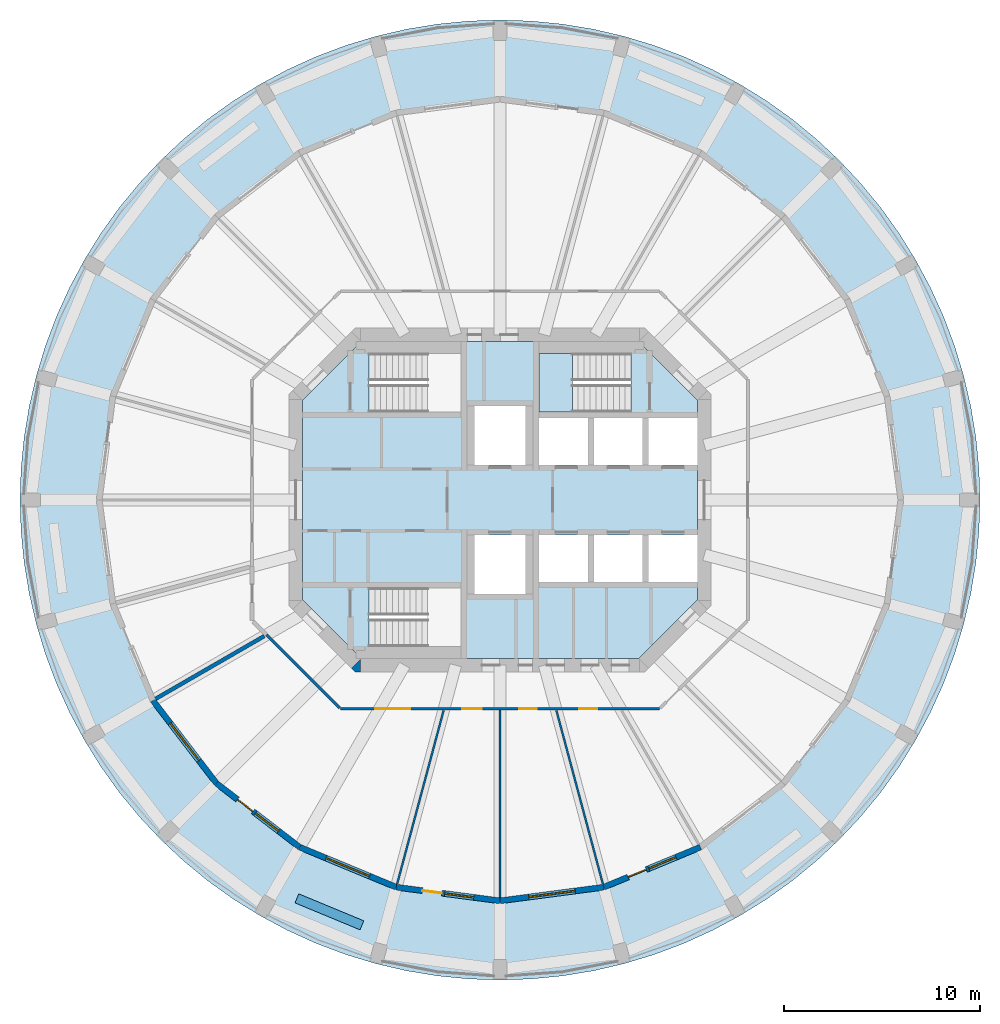
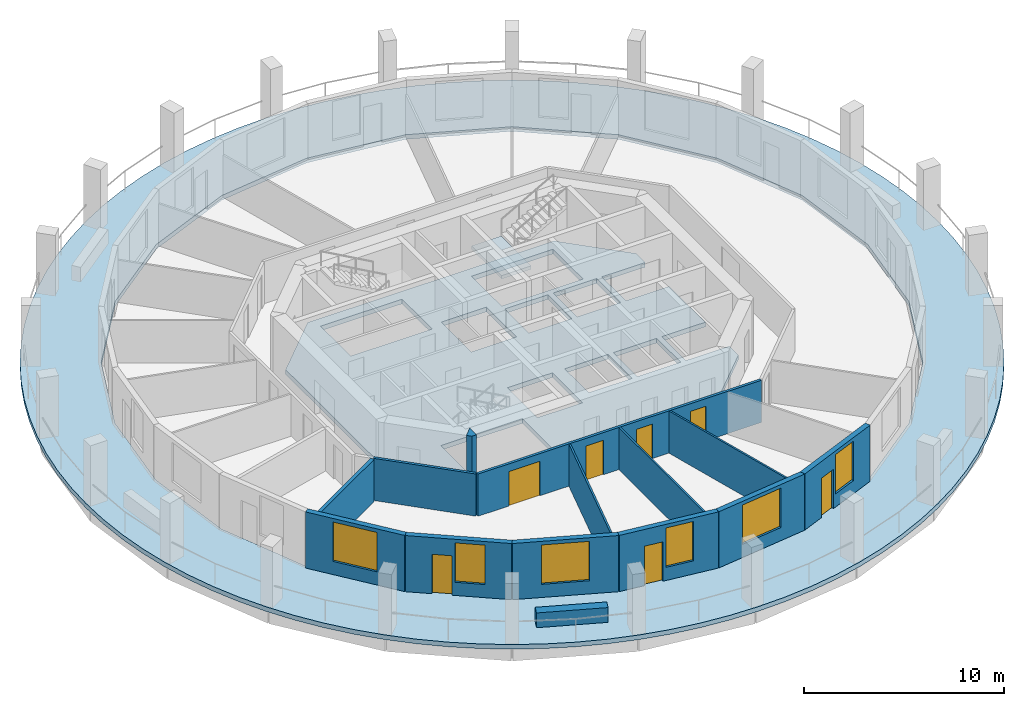
# One storey, part 2 of 9: 14 walls, 7 doors, 6 windows, 3 slabs, 13 openings, 1 element without a shape of its own.
"""IFC4 building model written with IfcOpenShell, lengths in metres."""

from ifc_helpers import new_model, si_unit, direction, frame, frame_2d, origin, place, context, subcontext, project, spatial, polyline, rectangle, outline, extrude, material, layer, layer_set, type_object, element, fill, aggregate, save


model = new_model("IFC4")

# Units and contexts
model_context = context("Model", 3, precision=1e-05, world=origin(), true_north=direction((0.0, 1.0)))
body_context = subcontext(model_context, "Body", "Model", "MODEL_VIEW")
ifc_project = project(units=[si_unit("LENGTHUNIT", "METRE"), si_unit("AREAUNIT", "SQUARE_METRE"), si_unit("VOLUMEUNIT", "CUBIC_METRE"), si_unit("PLANEANGLEUNIT", "RADIAN"), si_unit("MASSUNIT", "GRAM", prefix="KILO")], contexts=[model_context])

# Site, building, storey
site_placement = place(None, origin())
site = spatial("IfcSite", under=ifc_project, at=site_placement, CompositionType="ELEMENT")
building_placement = place(site_placement, origin())
building = spatial("IfcBuilding", under=site, at=building_placement, Name="Torre Triforio", CompositionType="ELEMENT")
storey_placement = place(building_placement, frame((0.0, 0.0, 237.199951171875)))
storey = spatial("IfcBuildingStorey", under=building, at=storey_placement, Name="L54", CompositionType="ELEMENT", Elevation=237.199951171875)

# Slabs
ifc_material_1 = material(Name="Concrete C50", Category="concrete")
ifc_layer_1 = layer(ifc_material_1, 0.280029296875)
ifc_layer_set_1 = layer_set([ifc_layer_1], Name="Concrete C50")
slab_type_1 = type_object("IfcSlabType", Name="Core floor slab 280 mm C50 REI 120", PredefinedType="FLOOR", material=ifc_layer_set_1)
slab_1_placement = place(storey_placement, frame((0.0, 0.0, -0.280029296875)))
element("IfcSlab", 1, at=slab_1_placement, inside=storey, type_object=slab_type_1, Name="Core floor slab", PredefinedType="FLOOR", context=body_context, shape_type="SweptSolid", body=[
    extrude(outline(polyline([(10.10009765625, -5.10009765625), (7.10009765625, -8.10009765625), (-7.10009765625, -8.10009765625), (-10.10009765625, -5.10009765625), (-10.10009765625, 5.10009765625), (-7.10009765625, 8.10009765625), (7.10009765625, 8.10009765625), (10.10009765625, 5.10009765625), (10.10009765625, 4.199951171875), (7.60009765625, 4.199951171875), (7.60009765625, 1.800048828125), (10.10009765625, 1.800048828125), (10.10009765625, -1.800048828125), (7.60009765625, -1.800048828125), (7.60009765625, -4.199951171875), (10.10009765625, -4.199951171875), (10.10009765625, -5.10009765625)]), holes=[polyline([(-6.696044921875, -4.5), (-6.696044921875, -7.5), (-2.0, -7.5), (-2.0, -4.5), (-6.696044921875, -4.5)]), polyline([(-1.300048828125, -1.800048828125), (-1.300048828125, -4.800048828125), (1.300048828125, -4.800048828125), (1.300048828125, -1.800048828125), (-1.300048828125, -1.800048828125)]), polyline([(2.0, -1.800048828125), (2.0, -4.199951171875), (4.5, -4.199951171875), (4.5, -1.800048828125), (2.0, -1.800048828125)]), polyline([(4.5, 4.199951171875), (2.0, 4.199951171875), (2.0, 1.800048828125), (4.5, 1.800048828125), (4.5, 4.199951171875)]), polyline([(1.300048828125, 4.800048828125), (-1.300048828125, 4.800048828125), (-1.300048828125, 1.800048828125), (1.300048828125, 1.800048828125), (1.300048828125, 4.800048828125)]), polyline([(-6.696044921875, 7.5), (-6.696044921875, 4.5), (-2.0, 4.5), (-2.0, 7.5), (-6.696044921875, 7.5)]), polyline([(7.300048828125, -1.800048828125), (4.800048828125, -1.800048828125), (4.800048828125, -4.199951171875), (7.300048828125, -4.199951171875), (7.300048828125, -1.800048828125)]), polyline([(4.800048828125, 4.199951171875), (4.800048828125, 1.800048828125), (7.300048828125, 1.800048828125), (7.300048828125, 4.199951171875), (4.800048828125, 4.199951171875)]), polyline([(6.696044921875, 7.5), (2.0, 7.5), (2.0, 4.5), (6.696044921875, 4.5), (6.696044921875, 7.5)])]), origin(), (0.0, 0.0, 1.0), 0.280029296875),
])
ifc_material_2 = material(Name="Concrete C40", Category="concrete")
ifc_layer_2 = layer(ifc_material_2, 0.280029296875)
ifc_layer_set_2 = layer_set([ifc_layer_2], Name="Concrete C40")
slab_type_2 = type_object("IfcSlabType", Name="Loggia slab 280 C40", PredefinedType="FLOOR", material=ifc_layer_set_2)
slab_2_placement = place(storey_placement, frame((0.0, 0.0, -0.280029296875)))
element("IfcSlab", 2, at=slab_2_placement, inside=storey, type_object=slab_type_2, Name="SL.L54.LG", PredefinedType="FLOOR", context=body_context, shape_type="SweptSolid", body=[
    extrude(outline(polyline([(24.49755859375, -1.605712890625), (24.550048828125, 0.0), (24.49755859375, 1.605712890625), (24.340087890625, 3.204345703125), (24.078369140625, 4.78955078125), (23.71337890625, 6.35400390625), (23.2470703125, 7.891357421875), (22.68115234375, 9.394775390625), (22.018310546875, 10.858154296875), (21.260986328125, 12.27490234375), (20.41259765625, 13.63916015625), (19.476806640625, 14.945068359375), (18.457763671875, 16.18701171875), (17.359375, 17.359375), (16.18701171875, 18.457763671875), (14.945068359375, 19.476806640625), (13.63916015625, 20.41259765625), (12.27490234375, 21.260986328125), (10.858154296875, 22.018310546875), (9.394775390625, 22.68115234375), (7.891357421875, 23.2470703125), (6.35400390625, 23.71337890625), (4.78955078125, 24.078369140625), (3.204345703125, 24.340087890625), (1.605712890625, 24.49755859375), (0.0, 24.550048828125), (-1.605712890625, 24.49755859375), (-3.204345703125, 24.340087890625), (-4.78955078125, 24.078369140625), (-6.35400390625, 23.71337890625), (-7.891357421875, 23.2470703125), (-9.394775390625, 22.68115234375), (-10.858154296875, 22.018310546875), (-12.27490234375, 21.260986328125), (-13.63916015625, 20.41259765625), (-14.945068359375, 19.476806640625), (-16.18701171875, 18.457763671875), (-17.359375, 17.359375), (-18.457763671875, 16.18701171875), (-19.476806640625, 14.945068359375), (-20.41259765625, 13.63916015625), (-21.260986328125, 12.27490234375), (-22.018310546875, 10.858154296875), (-22.68115234375, 9.394775390625), (-23.2470703125, 7.891357421875), (-23.71337890625, 6.35400390625), (-24.078369140625, 4.78955078125), (-24.340087890625, 3.204345703125), (-24.49755859375, 1.605712890625), (-24.550048828125, 0.0), (-24.49755859375, -1.605712890625), (-24.340087890625, -3.204345703125), (-24.078369140625, -4.78955078125), (-23.71337890625, -6.35400390625), (-23.2470703125, -7.891357421875), (-22.68115234375, -9.394775390625), (-22.018310546875, -10.858154296875), (-21.260986328125, -12.27490234375), (-20.41259765625, -13.63916015625), (-19.476806640625, -14.945068359375), (-18.457763671875, -16.18701171875), (-17.359375, -17.359375), (-16.18701171875, -18.457763671875), (-14.945068359375, -19.476806640625), (-13.63916015625, -20.41259765625), (-12.27490234375, -21.260986328125), (-10.858154296875, -22.018310546875), (-9.394775390625, -22.68115234375), (-7.891357421875, -23.2470703125), (-6.35400390625, -23.71337890625), (-4.78955078125, -24.078369140625), (-3.204345703125, -24.340087890625), (-1.605712890625, -24.49755859375), (0.0, -24.550048828125), (1.605712890625, -24.49755859375), (3.204345703125, -24.340087890625), (4.78955078125, -24.078369140625), (6.35400390625, -23.71337890625), (7.891357421875, -23.2470703125), (9.394775390625, -22.68115234375), (10.858154296875, -22.018310546875), (12.27490234375, -21.260986328125), (13.63916015625, -20.41259765625), (14.945068359375, -19.476806640625), (16.18701171875, -18.457763671875), (17.359375, -17.359375), (18.457763671875, -16.18701171875), (19.476806640625, -14.945068359375), (20.41259765625, -13.63916015625), (21.260986328125, -12.27490234375), (22.018310546875, -10.858154296875), (22.68115234375, -9.394775390625), (23.2470703125, -7.891357421875), (23.71337890625, -6.35400390625), (24.078369140625, -4.78955078125), (24.340087890625, -3.204345703125), (24.49755859375, -1.605712890625)]), holes=[polyline([(19.801513671875, 5.305908203125), (20.5, 0.0), (19.801513671875, -5.305908203125), (17.75341796875, -10.25), (14.49560546875, -14.49560546875), (10.25, -17.75341796875), (5.305908203125, -19.801513671875), (0.0, -20.5), (-5.305908203125, -19.801513671875), (-10.25, -17.75341796875), (-14.49560546875, -14.49560546875), (-17.75341796875, -10.25), (-19.801513671875, -5.305908203125), (-20.5, 0.0), (-19.801513671875, 5.305908203125), (-17.75341796875, 10.25), (-14.49560546875, 14.49560546875), (-10.25, 17.75341796875), (-5.305908203125, 19.801513671875), (0.0, 20.5), (5.305908203125, 19.801513671875), (10.25, 17.75341796875), (14.49560546875, 14.49560546875), (17.75341796875, 10.25), (19.801513671875, 5.305908203125)])]), origin(), (0.0, 0.0, 1.0), 0.280029296875),
])

# Stair, slab
stair_type = type_object("IfcStairType", Name="STAIR HALF-TURN", PredefinedType="HALF_TURN_STAIR", material=ifc_material_2)
stair_placement = place(storey_placement, origin())
stair = element("IfcStair", 3, at=stair_placement, inside=storey, type_object=stair_type, Name="Exit stair 2", PredefinedType="HALF_TURN_STAIR")
ifc_layer_3 = layer(ifc_material_2, 0.199951171875)
ifc_layer_set_3 = layer_set([ifc_layer_3], Name="Concrete C40")
slab_type_3 = type_object("IfcSlabType", Name="STAIR LANDING 200", PredefinedType="LANDING", material=ifc_layer_set_3)
slab_3_placement = place(storey_placement, frame((0.0, 0.0, 1.650146484375)))
slab_3 = element("IfcSlab", 4, at=slab_3_placement, type_object=slab_type_3, Name="ST2 landing 1", PredefinedType="LANDING", context=body_context, shape_type="SweptSolid", body=[
    extrude(outline(polyline([(3.699951171875, 4.5), (3.699951171875, 7.5), (2.0, 7.5), (2.0, 4.5), (3.699951171875, 4.5)])), origin(), (0.0, 0.0, 1.0), 0.199951171875),
])
aggregate(stair, [slab_3])

# Wall
ifc_layer_4 = layer(ifc_material_1, 0.699951171875)
ifc_layer_set_4 = layer_set([ifc_layer_4], Name="Concrete C50")
wall_type_1 = type_object("IfcWallType", Name="Core wall 700 mm C50 EI 120", PredefinedType="SHEAR", material=ifc_layer_set_4)
wall_1_placement = place(storey_placement, frame((0.0, 0.0, -0.280029296875)))
element("IfcWall", 5, at=wall_1_placement, inside=storey, type_object=wall_type_1, Name="Core wall", PredefinedType="SHEAR", context=body_context, shape_type="SweptSolid", body=[
    extrude(outline(polyline([(-7.389892578125, -8.800048828125), (-7.594970703125, -8.594970703125), (-7.594970703125, -8.594970703125), (-7.594970703125, -8.594970703125), (-7.1298828125, -8.1298828125), (-7.1298828125, -8.800048828125), (-7.1298828125, -8.800048828125), (-7.389892578125, -8.800048828125)])), origin(), (0.0, 0.0, 1.0), 3.7001953125),
])

# Wall, openings, doors
ifc_material_3 = material(Name="Plasterboard on metal studs")
ifc_layer_5 = layer(ifc_material_3, 0.14990234375)
ifc_layer_set_5 = layer_set([ifc_layer_5], Name="Plasterboard on metal studs")
wall_type_2 = type_object("IfcWallType", Name="Corridor and tenancy wall 150 mm EI 60", PredefinedType="PARTITIONING", material=ifc_layer_set_5)
wall_2_placement = place(storey_placement, frame((8.16650390625, -10.675048828125, 0.0), z_axis=(0.0, 0.0, 1.0), x_axis=(-1.0, 0.0, 0.0)))
wall_2 = element("IfcWall", 6, at=wall_2_placement, inside=storey, type_object=wall_type_2, Name="Partition 2", PredefinedType="PARTITIONING", context=body_context, shape_type="SweptSolid", body=[
    extrude(rectangle(XDim=16.3330078125, YDim=0.14990234375, at=frame_2d((8.16650390625, 0.0))), origin(), (0.0, 0.0, 1.0), 2.570068359375),
])
opening_1_placement = place(wall_2_placement, frame((12.755126953125, 0.0, 0.0)))
opening_1 = element("IfcOpeningElement", 7, at=opening_1_placement, cuts=wall_2, Name="Opening O8-01", PredefinedType="OPENING", context=body_context, shape_type="SweptSolid", body=[
    extrude(rectangle(XDim=1.800048828125, YDim=2.10009765625, at=frame_2d((0.89990234375, 1.050048828125))), frame((0.0, 0.0849609375, 0.0), z_axis=(0.0, -1.0, 0.0), x_axis=(1.0, 0.0, 0.0)), (0.0, 0.0, 1.0), 0.169921875),
])
opening_2_placement = place(wall_2_placement, frame((9.09765625, 0.0, 0.0)))
opening_2 = element("IfcOpeningElement", 8, at=opening_2_placement, cuts=wall_2, Name="Opening O8-02", PredefinedType="OPENING", context=body_context, shape_type="SweptSolid", body=[
    extrude(rectangle(XDim=1.0, YDim=2.10009765625, at=frame_2d((0.5, 1.050048828125))), frame((0.0, 0.0849609375, 0.0), z_axis=(0.0, -1.0, 0.0), x_axis=(1.0, 0.0, 0.0)), (0.0, 0.0, 1.0), 0.169921875),
])
opening_3_placement = place(wall_2_placement, frame((6.285400390625, 0.0, 0.0)))
opening_3 = element("IfcOpeningElement", 9, at=opening_3_placement, cuts=wall_2, Name="Opening O8-03", PredefinedType="OPENING", context=body_context, shape_type="SweptSolid", body=[
    extrude(rectangle(XDim=0.89990234375, YDim=2.10009765625, at=frame_2d((0.449951171875, 1.050048828125))), frame((0.0, 0.0849609375, 0.0), z_axis=(0.0, -1.0, 0.0), x_axis=(1.0, 0.0, 0.0)), (0.0, 0.0, 1.0), 0.169921875),
])
opening_4_placement = place(wall_2_placement, frame((3.200927734375, 0.0, 0.0)))
opening_4 = element("IfcOpeningElement", 10, at=opening_4_placement, cuts=wall_2, Name="Opening O8-04", PredefinedType="OPENING", context=body_context, shape_type="SweptSolid", body=[
    extrude(rectangle(XDim=0.89990234375, YDim=2.10009765625, at=frame_2d((0.449951171875, 1.050048828125))), frame((0.0, 0.0849609375, 0.0), z_axis=(0.0, -1.0, 0.0), x_axis=(1.0, 0.0, 0.0)), (0.0, 0.0, 1.0), 0.169921875),
])
ifc_material_4 = material(Name="Timber", Category="wood")
door_type_1 = type_object("IfcDoorType", Name="Door 1000 x 2100 single leaf EI 30", OperationType="NOTDEFINED", PredefinedType="DOOR", material=ifc_material_4)
door_1_placement = place(opening_2_placement, origin())
door_1 = element("IfcDoor", 11, at=door_1_placement, inside=storey, type_object=door_type_1, Name="Door O8-02", OperationType="SINGLE_SWING_LEFT", OverallHeight=2.10009765625, OverallWidth=1.0, PredefinedType="DOOR", context=body_context, shape_type="SweptSolid", body=[
    extrude(rectangle(XDim=1.0, YDim=2.10009765625, at=frame_2d((0.5, 1.050048828125))), frame((0.0, 0.02490234375, 0.0), z_axis=(0.0, -1.0, 0.0), x_axis=(1.0, 0.0, 0.0)), (0.0, 0.0, 1.0), 0.050048828125),
])
fill(opening_2, door_1)
door_type_2 = type_object("IfcDoorType", Name="Door 1800 x 2100 double leaf EI 30", OperationType="DOUBLE_DOOR_SINGLE_SWING", PredefinedType="DOOR", material=ifc_material_4)
door_2_placement = place(opening_1_placement, origin())
door_2 = element("IfcDoor", 12, at=door_2_placement, inside=storey, type_object=door_type_2, Name="Door O8-01", OperationType="DOUBLE_DOOR_SINGLE_SWING", OverallHeight=2.10009765625, OverallWidth=1.800048828125, PredefinedType="DOOR", context=body_context, shape_type="SweptSolid", body=[
    extrude(rectangle(XDim=1.800048828125, YDim=2.10009765625, at=frame_2d((0.89990234375, 1.050048828125))), frame((0.0, 0.02490234375, 0.0), z_axis=(0.0, -1.0, 0.0), x_axis=(1.0, 0.0, 0.0)), (0.0, 0.0, 1.0), 0.050048828125),
])
fill(opening_1, door_2)
door_type_3 = type_object("IfcDoorType", Name="Door 900 x 2100 single leaf EI 30", OperationType="NOTDEFINED", PredefinedType="DOOR", material=ifc_material_4)
door_3_placement = place(opening_3_placement, origin())
door_3 = element("IfcDoor", 13, at=door_3_placement, inside=storey, type_object=door_type_3, Name="Door O8-03", OperationType="SINGLE_SWING_LEFT", OverallHeight=2.10009765625, OverallWidth=0.89990234375, PredefinedType="DOOR", context=body_context, shape_type="SweptSolid", body=[
    extrude(rectangle(XDim=0.89990234375, YDim=2.10009765625, at=frame_2d((0.449951171875, 1.050048828125))), frame((0.0, 0.02490234375, 0.0), z_axis=(0.0, -1.0, 0.0), x_axis=(1.0, 0.0, 0.0)), (0.0, 0.0, 1.0), 0.050048828125),
])
fill(opening_3, door_3)
door_4_placement = place(opening_4_placement, origin())
door_4 = element("IfcDoor", 14, at=door_4_placement, inside=storey, type_object=door_type_3, Name="Door O8-04", OperationType="SINGLE_SWING_LEFT", OverallHeight=2.10009765625, OverallWidth=0.89990234375, PredefinedType="DOOR", context=body_context, shape_type="SweptSolid", body=[
    extrude(rectangle(XDim=0.89990234375, YDim=2.10009765625, at=frame_2d((0.449951171875, 1.050048828125))), frame((0.0, 0.02490234375, 0.0), z_axis=(0.0, -1.0, 0.0), x_axis=(1.0, 0.0, 0.0)), (0.0, 0.0, 1.0), 0.050048828125),
])
fill(opening_4, door_4)

# Walls
wall_3_placement = place(storey_placement, frame((-8.20361328125, -10.637939453125, 0.0), z_axis=(0.0, 0.0, 1.0), x_axis=(-0.707106781187, 0.707106781187, 0.0)))
element("IfcWall", 15, at=wall_3_placement, inside=storey, type_object=wall_type_2, Name="Partition 3", PredefinedType="PARTITIONING", context=body_context, shape_type="SweptSolid", body=[
    extrude(rectangle(XDim=5.291259765625, YDim=0.14990234375, at=frame_2d((2.6455078125, 0.0))), origin(), (0.0, 0.0, 1.0), 2.570068359375),
])
ifc_layer_6 = layer(ifc_material_3, 0.10009765625)
ifc_layer_set_6 = layer_set([ifc_layer_6], Name="Plasterboard on metal studs")
wall_type_3 = type_object("IfcWallType", Name="Partition 100 mm board on metal studs", PredefinedType="PARTITIONING", material=ifc_layer_set_6)
wall_4_placement = place(storey_placement, frame((-2.88427734375, -10.764404296875, 0.0), z_axis=(0.0, 0.0, 1.0), x_axis=(-0.258811310764, -0.965927898666, 0.0)))
element("IfcWall", 16, at=wall_4_placement, inside=storey, type_object=wall_type_3, Name="Partition 22", PredefinedType="PARTITIONING", context=body_context, shape_type="SweptSolid", body=[
    extrude(rectangle(XDim=9.192626953125, YDim=0.10009765625, at=frame_2d((4.59619140625, 0.0))), origin(), (0.0, 0.0, 1.0), 2.570068359375),
])
wall_5_placement = place(storey_placement, frame((0.0, -10.75, 0.0), z_axis=(0.0, 0.0, 1.0), x_axis=(0.0, -1.0, 0.0)))
element("IfcWall", 17, at=wall_5_placement, inside=storey, type_object=wall_type_3, Name="Partition 23", PredefinedType="PARTITIONING", context=body_context, shape_type="SweptSolid", body=[
    extrude(rectangle(XDim=9.586669921875, YDim=0.10009765625, at=frame_2d((4.79345703125, 0.0))), origin(), (0.0, 0.0, 1.0), 2.570068359375),
])
wall_6_placement = place(storey_placement, frame((2.88427734375, -10.764404296875, 0.0), z_axis=(0.0, 0.0, 1.0), x_axis=(0.258811310764, -0.965927898666, 0.0)))
element("IfcWall", 18, at=wall_6_placement, inside=storey, type_object=wall_type_3, Name="Partition 24", PredefinedType="PARTITIONING", context=body_context, shape_type="SweptSolid", body=[
    extrude(rectangle(XDim=9.192626953125, YDim=0.10009765625, at=frame_2d((4.59619140625, 0.0))), origin(), (0.0, 0.0, 1.0), 2.570068359375),
])
ifc_material_5 = material(Name="Masonry block", Category="masonry")
ifc_layer_7 = layer(ifc_material_5, 0.199951171875)
ifc_layer_set_7 = layer_set([ifc_layer_7], Name="Masonry block")
wall_type_4 = type_object("IfcWallType", Name="Plant room wall 200 mm block EI 120", PredefinedType="PARTITIONING", material=ifc_layer_set_7)
wall_7_placement = place(storey_placement, frame((-12.0576171875, -6.96142578125, 0.0), z_axis=(0.0, 0.0, 1.0), x_axis=(-0.866013799398, -0.500020098848, 0.0)))
element("IfcWall", 19, at=wall_7_placement, inside=storey, type_object=wall_type_4, Name="Partition 21", PredefinedType="PARTITIONING", context=body_context, shape_type="SweptSolid", body=[
    extrude(rectangle(XDim=6.413818359375, YDim=0.199951171875, at=frame_2d((3.20703125, 0.0))), origin(), (0.0, 0.0, 1.0), 2.570068359375),
])
ifc_material_6 = material(Name="Limestone cladding", Category="masonry")
ifc_layer_8 = layer(ifc_material_6, 0.10009765625)
ifc_layer_9 = layer(ifc_material_2, 0.39990234375)
ifc_layer_set_8 = layer_set([ifc_layer_8, ifc_layer_9], Name="Limestone cladding / Concrete C40")
wall_type_5 = type_object("IfcWallType", Name="Planter wall 500", PredefinedType="PARAPET", material=ifc_layer_set_8)
wall_8_placement = place(storey_placement, frame((-10.38818359375, -20.37548828125, 0.0), z_axis=(0.0, 0.0, 1.0), x_axis=(0.923851510231, -0.38275107713, 0.0)))
element("IfcWall", 20, at=wall_8_placement, inside=storey, type_object=wall_type_5, Name="Planter L54 bay 17", PredefinedType="PARAPET", context=body_context, shape_type="SweptSolid", body=[
    extrude(rectangle(XDim=3.60009765625, YDim=0.5, at=frame_2d((1.800048828125, 0.0))), origin(), (0.0, 0.0, 1.0), 0.900146484375),
])

# Wall, opening, window
ifc_layer_10 = layer(ifc_material_6, 0.10009765625)
ifc_layer_11 = layer(ifc_material_2, 0.199951171875)
ifc_layer_set_9 = layer_set([ifc_layer_10, ifc_layer_11], Name="Limestone cladding / Concrete C40")
wall_type_6 = type_object("IfcWallType", Name="Stone-faced composite wall 300", PredefinedType="STANDARD", material=ifc_layer_set_9)
wall_9_placement = place(storey_placement, frame((-17.75341796875, -10.25, 0.0), z_axis=(0.0, 0.0, 1.0), x_axis=(0.60876670321, -0.793349293227, 0.0)))
wall_9 = element("IfcWall", 21, at=wall_9_placement, inside=storey, type_object=wall_type_6, Name="External wall L54 bay 15", PredefinedType="STANDARD", context=body_context, shape_type="SweptSolid", body=[
    extrude(rectangle(XDim=5.3515625, YDim=0.300048828125, at=frame_2d((2.67578125, 0.0))), origin(), (0.0, 0.0, 1.0), 3.420166015625),
])
opening_5_placement = place(wall_9_placement, frame((1.475830078125, 0.0, 0.800048828125)))
opening_5 = element("IfcOpeningElement", 22, at=opening_5_placement, cuts=wall_9, Name="Opening O8-W15", PredefinedType="OPENING", context=body_context, shape_type="SweptSolid", body=[
    extrude(rectangle(XDim=2.39990234375, YDim=2.39990234375, at=frame_2d((1.199951171875, 1.199951171875))), frame((0.0, 0.159912109375, 0.0), z_axis=(0.0, -1.0, 0.0), x_axis=(1.0, 0.0, 0.0)), (0.0, 0.0, 1.0), 0.320068359375),
])
ifc_material_7 = material(Name="Aluminium frame with clear double glazing", Category="aluminium")
window_type_1 = type_object("IfcWindowType", Name="Punched window 2400 x 2400", PartitioningType="DOUBLE_PANEL_VERTICAL", PredefinedType="WINDOW", material=ifc_material_7)
window_1_placement = place(opening_5_placement, origin())
window_1 = element("IfcWindow", 23, at=window_1_placement, inside=storey, type_object=window_type_1, Name="Window EWN4 L54 bay 15", OverallHeight=2.39990234375, OverallWidth=2.39990234375, PartitioningType="SINGLE_PANEL", PredefinedType="WINDOW", context=body_context, shape_type="SweptSolid", body=[
    extrude(rectangle(XDim=2.39990234375, YDim=2.39990234375, at=frame_2d((1.199951171875, 1.199951171875))), frame((0.0, 0.030029296875, 0.0), z_axis=(0.0, -1.0, 0.0), x_axis=(1.0, 0.0, 0.0)), (0.0, 0.0, 1.0), 0.06005859375),
])
fill(opening_5, window_1)

# Wall, openings, door, window
wall_10_placement = place(storey_placement, frame((-14.49560546875, -14.49560546875, 0.0), z_axis=(0.0, 0.0, 1.0), x_axis=(0.793349293227, -0.60876670321, 0.0)))
wall_10 = element("IfcWall", 24, at=wall_10_placement, inside=storey, type_object=wall_type_6, Name="External wall L54 bay 16", PredefinedType="STANDARD", context=body_context, shape_type="SweptSolid", body=[
    extrude(rectangle(XDim=5.3515625, YDim=0.300048828125, at=frame_2d((2.67578125, 0.0))), origin(), (0.0, 0.0, 1.0), 3.420166015625),
])
opening_6_placement = place(wall_10_placement, frame((1.350830078125, 0.0, 0.0)))
opening_6 = element("IfcOpeningElement", 25, at=opening_6_placement, cuts=wall_10, Name="Opening O8-D16", PredefinedType="OPENING", context=body_context, shape_type="SweptSolid", body=[
    extrude(rectangle(XDim=1.0, YDim=2.39990234375, at=frame_2d((0.5, 1.199951171875))), frame((0.0, 0.159912109375, 0.0), z_axis=(0.0, -1.0, 0.0), x_axis=(1.0, 0.0, 0.0)), (0.0, 0.0, 1.0), 0.320068359375),
])
opening_7_placement = place(wall_10_placement, frame((2.500732421875, 0.0, 0.800048828125)))
opening_7 = element("IfcOpeningElement", 26, at=opening_7_placement, cuts=wall_10, Name="Opening O8-W16A", PredefinedType="OPENING", context=body_context, shape_type="SweptSolid", body=[
    extrude(rectangle(XDim=1.5, YDim=2.39990234375, at=frame_2d((0.75, 1.199951171875))), frame((0.0, 0.159912109375, 0.0), z_axis=(0.0, -1.0, 0.0), x_axis=(1.0, 0.0, 0.0)), (0.0, 0.0, 1.0), 0.320068359375),
])
door_type_4 = type_object("IfcDoorType", Name="Loggia door 1000 x 2400", OperationType="NOTDEFINED", PredefinedType="DOOR", material=ifc_material_7)
door_5_placement = place(opening_6_placement, origin())
door_5 = element("IfcDoor", 27, at=door_5_placement, inside=storey, type_object=door_type_4, Name="Loggia door L54 bay 16", OperationType="SINGLE_SWING_LEFT", OverallHeight=2.39990234375, OverallWidth=1.0, PredefinedType="DOOR", context=body_context, shape_type="SweptSolid", body=[
    extrude(rectangle(XDim=1.0, YDim=2.39990234375, at=frame_2d((0.5, 1.199951171875))), frame((0.0, 0.02490234375, 0.0), z_axis=(0.0, -1.0, 0.0), x_axis=(1.0, 0.0, 0.0)), (0.0, 0.0, 1.0), 0.050048828125),
])
fill(opening_6, door_5)
window_type_2 = type_object("IfcWindowType", Name="Side window 1500 x 2400", PartitioningType="SINGLE_PANEL", PredefinedType="WINDOW", material=ifc_material_7)
window_2_placement = place(opening_7_placement, origin())
window_2 = element("IfcWindow", 28, at=window_2_placement, inside=storey, type_object=window_type_2, Name="Side window EWN14 L54 bay 16", OverallHeight=2.39990234375, OverallWidth=1.5, PartitioningType="SINGLE_PANEL", PredefinedType="WINDOW", context=body_context, shape_type="SweptSolid", body=[
    extrude(rectangle(XDim=1.5, YDim=2.39990234375, at=frame_2d((0.75, 1.199951171875))), frame((0.0, 0.030029296875, 0.0), z_axis=(0.0, -1.0, 0.0), x_axis=(1.0, 0.0, 0.0)), (0.0, 0.0, 1.0), 0.06005859375),
])
fill(opening_7, window_2)

# Wall, opening, window
wall_11_placement = place(storey_placement, frame((-10.25, -17.75341796875, 0.0), z_axis=(0.0, 0.0, 1.0), x_axis=(0.923867255172, -0.382713071139, 0.0)))
wall_11 = element("IfcWall", 29, at=wall_11_placement, inside=storey, type_object=wall_type_6, Name="External wall L54 bay 17", PredefinedType="STANDARD", context=body_context, shape_type="SweptSolid", body=[
    extrude(rectangle(XDim=5.3515625, YDim=0.300048828125, at=frame_2d((2.67578125, 0.0))), origin(), (0.0, 0.0, 1.0), 3.420166015625),
])
opening_8_placement = place(wall_11_placement, frame((1.475830078125, 0.0, 0.800048828125)))
opening_8 = element("IfcOpeningElement", 30, at=opening_8_placement, cuts=wall_11, Name="Opening O8-W17", PredefinedType="OPENING", context=body_context, shape_type="SweptSolid", body=[
    extrude(rectangle(XDim=2.39990234375, YDim=2.39990234375, at=frame_2d((1.199951171875, 1.199951171875))), frame((0.0, 0.159912109375, 0.0), z_axis=(0.0, -1.0, 0.0), x_axis=(1.0, 0.0, 0.0)), (0.0, 0.0, 1.0), 0.320068359375),
])
window_3_placement = place(opening_8_placement, origin())
window_3 = element("IfcWindow", 31, at=window_3_placement, inside=storey, type_object=window_type_1, Name="Window EWN4 L54 bay 17", OverallHeight=2.39990234375, OverallWidth=2.39990234375, PartitioningType="SINGLE_PANEL", PredefinedType="WINDOW", context=body_context, shape_type="SweptSolid", body=[
    extrude(rectangle(XDim=2.39990234375, YDim=2.39990234375, at=frame_2d((1.199951171875, 1.199951171875))), frame((0.0, 0.030029296875, 0.0), z_axis=(0.0, -1.0, 0.0), x_axis=(1.0, 0.0, 0.0)), (0.0, 0.0, 1.0), 0.06005859375),
])
fill(opening_8, window_3)

# Wall, openings, door, window
wall_12_placement = place(storey_placement, frame((-5.305908203125, -19.801513671875, 0.0), z_axis=(0.0, 0.0, 1.0), x_axis=(0.991446064069, -0.130517056518, 0.0)))
wall_12 = element("IfcWall", 32, at=wall_12_placement, inside=storey, type_object=wall_type_6, Name="External wall L54 bay 18", PredefinedType="STANDARD", context=body_context, shape_type="SweptSolid", body=[
    extrude(rectangle(XDim=5.351806640625, YDim=0.300048828125, at=frame_2d((2.67578125, 0.0))), origin(), (0.0, 0.0, 1.0), 3.420166015625),
])
opening_9_placement = place(wall_12_placement, frame((1.350830078125, 0.0, 0.0)))
opening_9 = element("IfcOpeningElement", 33, at=opening_9_placement, cuts=wall_12, Name="Opening O8-D18", PredefinedType="OPENING", context=body_context, shape_type="SweptSolid", body=[
    extrude(rectangle(XDim=1.0, YDim=2.39990234375, at=frame_2d((0.5, 1.199951171875))), frame((0.0, 0.159912109375, 0.0), z_axis=(0.0, -1.0, 0.0), x_axis=(1.0, 0.0, 0.0)), (0.0, 0.0, 1.0), 0.320068359375),
])
opening_10_placement = place(wall_12_placement, frame((2.500732421875, 0.0, 0.800048828125)))
opening_10 = element("IfcOpeningElement", 34, at=opening_10_placement, cuts=wall_12, Name="Opening O8-W18A", PredefinedType="OPENING", context=body_context, shape_type="SweptSolid", body=[
    extrude(rectangle(XDim=1.5, YDim=2.39990234375, at=frame_2d((0.75, 1.199951171875))), frame((0.0, 0.159912109375, 0.0), z_axis=(0.0, -1.0, 0.0), x_axis=(1.0, 0.0, 0.0)), (0.0, 0.0, 1.0), 0.320068359375),
])
door_6_placement = place(opening_9_placement, origin())
door_6 = element("IfcDoor", 35, at=door_6_placement, inside=storey, type_object=door_type_4, Name="Loggia door L54 bay 18", OperationType="SINGLE_SWING_LEFT", OverallHeight=2.39990234375, OverallWidth=1.0, PredefinedType="DOOR", context=body_context, shape_type="SweptSolid", body=[
    extrude(rectangle(XDim=1.0, YDim=2.39990234375, at=frame_2d((0.5, 1.199951171875))), frame((0.0, 0.02490234375, 0.0), z_axis=(0.0, -1.0, 0.0), x_axis=(1.0, 0.0, 0.0)), (0.0, 0.0, 1.0), 0.050048828125),
])
fill(opening_9, door_6)
window_4_placement = place(opening_10_placement, origin())
window_4 = element("IfcWindow", 36, at=window_4_placement, inside=storey, type_object=window_type_2, Name="Side window EWN14 L54 bay 18", OverallHeight=2.39990234375, OverallWidth=1.5, PartitioningType="SINGLE_PANEL", PredefinedType="WINDOW", context=body_context, shape_type="SweptSolid", body=[
    extrude(rectangle(XDim=1.5, YDim=2.39990234375, at=frame_2d((0.75, 1.199951171875))), frame((0.0, 0.030029296875, 0.0), z_axis=(0.0, -1.0, 0.0), x_axis=(1.0, 0.0, 0.0)), (0.0, 0.0, 1.0), 0.06005859375),
])
fill(opening_10, window_4)

# Wall, opening, window
wall_13_placement = place(storey_placement, frame((0.0, -20.5, 0.0), z_axis=(0.0, 0.0, 1.0), x_axis=(0.991446064069, 0.130517056518, 0.0)))
wall_13 = element("IfcWall", 37, at=wall_13_placement, inside=storey, type_object=wall_type_6, Name="External wall L54 bay 19", PredefinedType="STANDARD", context=body_context, shape_type="SweptSolid", body=[
    extrude(rectangle(XDim=5.351806640625, YDim=0.300048828125, at=frame_2d((2.67578125, 0.0))), origin(), (0.0, 0.0, 1.0), 3.420166015625),
])
opening_11_placement = place(wall_13_placement, frame((1.475830078125, 0.0, 0.800048828125)))
opening_11 = element("IfcOpeningElement", 38, at=opening_11_placement, cuts=wall_13, Name="Opening O8-W19", PredefinedType="OPENING", context=body_context, shape_type="SweptSolid", body=[
    extrude(rectangle(XDim=2.39990234375, YDim=2.39990234375, at=frame_2d((1.199951171875, 1.199951171875))), frame((0.0, 0.159912109375, 0.0), z_axis=(0.0, -1.0, 0.0), x_axis=(1.0, 0.0, 0.0)), (0.0, 0.0, 1.0), 0.320068359375),
])
window_5_placement = place(opening_11_placement, origin())
window_5 = element("IfcWindow", 39, at=window_5_placement, inside=storey, type_object=window_type_1, Name="Window EWN4 L54 bay 19", OverallHeight=2.39990234375, OverallWidth=2.39990234375, PartitioningType="SINGLE_PANEL", PredefinedType="WINDOW", context=body_context, shape_type="SweptSolid", body=[
    extrude(rectangle(XDim=2.39990234375, YDim=2.39990234375, at=frame_2d((1.199951171875, 1.199951171875))), frame((0.0, 0.030029296875, 0.0), z_axis=(0.0, -1.0, 0.0), x_axis=(1.0, 0.0, 0.0)), (0.0, 0.0, 1.0), 0.06005859375),
])
fill(opening_11, window_5)

# Wall, openings, door, window
wall_14_placement = place(storey_placement, frame((5.305908203125, -19.801513671875, 0.0), z_axis=(0.0, 0.0, 1.0), x_axis=(0.923867255172, 0.382713071139, 0.0)))
wall_14 = element("IfcWall", 40, at=wall_14_placement, inside=storey, type_object=wall_type_6, Name="External wall L54 bay 20", PredefinedType="STANDARD", context=body_context, shape_type="SweptSolid", body=[
    extrude(rectangle(XDim=5.3515625, YDim=0.300048828125, at=frame_2d((2.67578125, 0.0))), origin(), (0.0, 0.0, 1.0), 3.420166015625),
])
opening_12_placement = place(wall_14_placement, frame((1.350830078125, 0.0, 0.0)))
opening_12 = element("IfcOpeningElement", 41, at=opening_12_placement, cuts=wall_14, Name="Opening O8-D20", PredefinedType="OPENING", context=body_context, shape_type="SweptSolid", body=[
    extrude(rectangle(XDim=1.0, YDim=2.39990234375, at=frame_2d((0.5, 1.199951171875))), frame((0.0, 0.159912109375, 0.0), z_axis=(0.0, -1.0, 0.0), x_axis=(1.0, 0.0, 0.0)), (0.0, 0.0, 1.0), 0.320068359375),
])
opening_13_placement = place(wall_14_placement, frame((2.500732421875, 0.0, 0.800048828125)))
opening_13 = element("IfcOpeningElement", 42, at=opening_13_placement, cuts=wall_14, Name="Opening O8-W20A", PredefinedType="OPENING", context=body_context, shape_type="SweptSolid", body=[
    extrude(rectangle(XDim=1.5, YDim=2.39990234375, at=frame_2d((0.75, 1.199951171875))), frame((0.0, 0.159912109375, 0.0), z_axis=(0.0, -1.0, 0.0), x_axis=(1.0, 0.0, 0.0)), (0.0, 0.0, 1.0), 0.320068359375),
])
door_7_placement = place(opening_12_placement, origin())
door_7 = element("IfcDoor", 43, at=door_7_placement, inside=storey, type_object=door_type_4, Name="Loggia door L54 bay 20", OperationType="SINGLE_SWING_LEFT", OverallHeight=2.39990234375, OverallWidth=1.0, PredefinedType="DOOR", context=body_context, shape_type="SweptSolid", body=[
    extrude(rectangle(XDim=1.0, YDim=2.39990234375, at=frame_2d((0.5, 1.199951171875))), frame((0.0, 0.02490234375, 0.0), z_axis=(0.0, -1.0, 0.0), x_axis=(1.0, 0.0, 0.0)), (0.0, 0.0, 1.0), 0.050048828125),
])
fill(opening_12, door_7)
window_6_placement = place(opening_13_placement, origin())
window_6 = element("IfcWindow", 44, at=window_6_placement, inside=storey, type_object=window_type_2, Name="Side window EWN14 L54 bay 20", OverallHeight=2.39990234375, OverallWidth=1.5, PartitioningType="SINGLE_PANEL", PredefinedType="WINDOW", context=body_context, shape_type="SweptSolid", body=[
    extrude(rectangle(XDim=1.5, YDim=2.39990234375, at=frame_2d((0.75, 1.199951171875))), frame((0.0, 0.030029296875, 0.0), z_axis=(0.0, -1.0, 0.0), x_axis=(1.0, 0.0, 0.0)), (0.0, 0.0, 1.0), 0.06005859375),
])
fill(opening_13, window_6)

save(model, "model.ifc")
